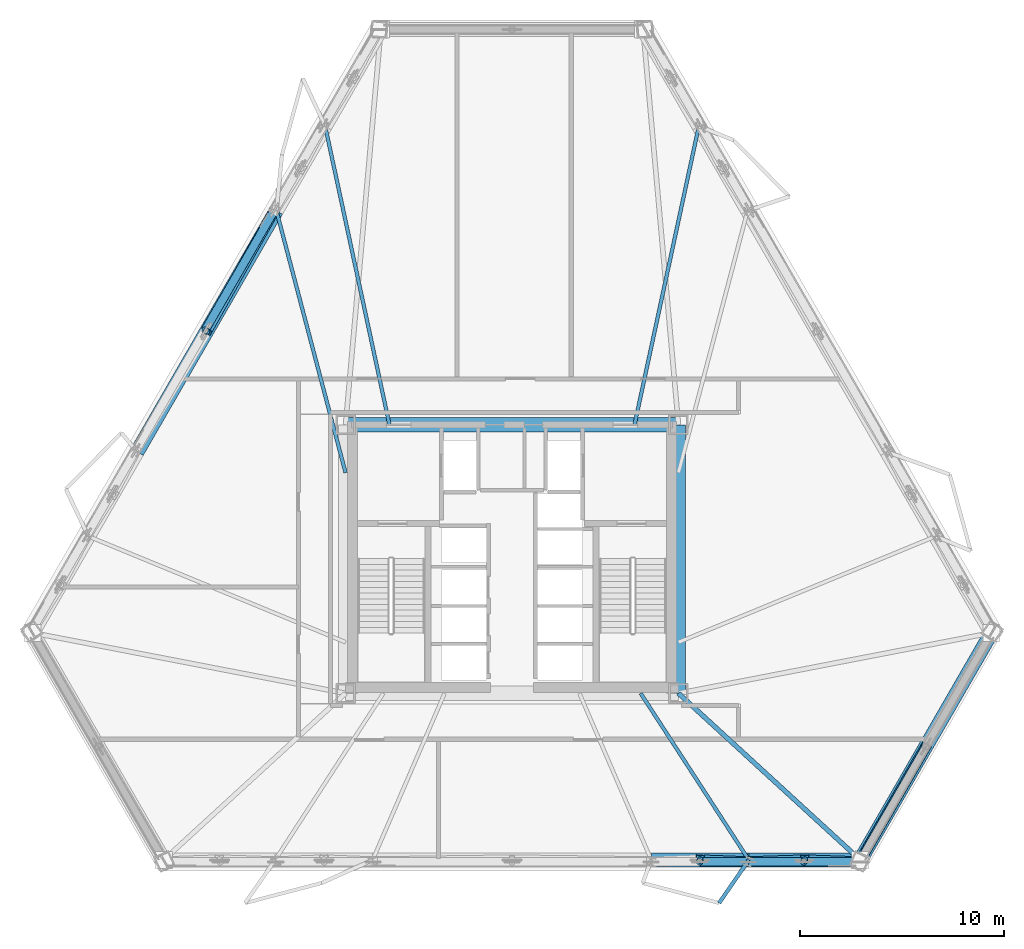
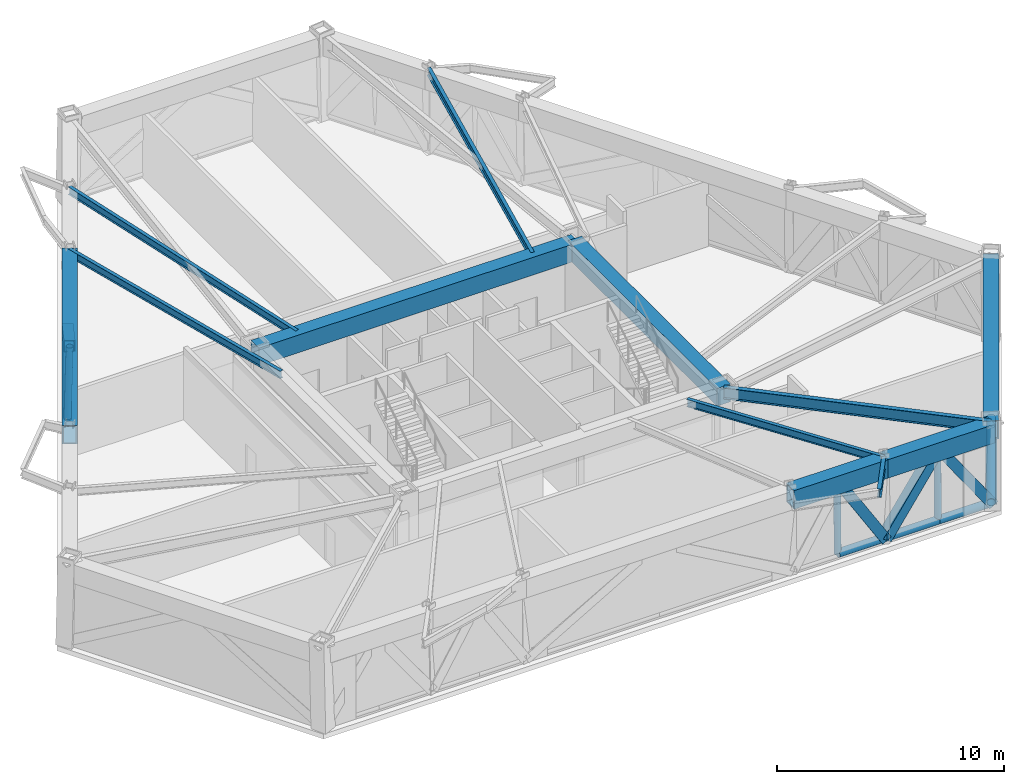
# One storey, part 3 of 11: 13 members, 12 beams.
"""IFC4 building model written with IfcOpenShell, lengths in metres."""

from ifc_helpers import new_model, si_unit, direction, frame, origin, origin_2d, place, context, subcontext, project, spatial, rectangle, hollow_rectangle, hollow_circle, i_section, extrude, material, material_profile, profile_set, type_object, element, save


model = new_model("IFC4")

# Units and contexts
model_context = context("Model", 3, precision=1e-05, world=origin(), true_north=direction((0.0, 1.0)))
body_context = subcontext(model_context, "Body", "Model", "MODEL_VIEW")
ifc_project = project(units=[si_unit("LENGTHUNIT", "METRE"), si_unit("AREAUNIT", "SQUARE_METRE"), si_unit("VOLUMEUNIT", "CUBIC_METRE"), si_unit("PLANEANGLEUNIT", "RADIAN"), si_unit("MASSUNIT", "GRAM", prefix="KILO")], contexts=[model_context])

# Site, building, storey
site_placement = place(None, origin())
site = spatial("IfcSite", under=ifc_project, at=site_placement, CompositionType="ELEMENT")
building_placement = place(site_placement, origin())
building = spatial("IfcBuilding", under=site, at=building_placement, Name="Oramaril Tower", CompositionType="ELEMENT")
storey_placement = place(building_placement, frame((0.0, 0.0, 77.699951171875)))
storey = spatial("IfcBuildingStorey", under=building, at=storey_placement, Name="L20", CompositionType="ELEMENT", Elevation=77.699951171875)

# Beams
ifc_material_1 = material(Name="Steel ASTM A572 Gr 50", Category="steel")
ifc_material_profile_1 = material_profile(ifc_material_1, i_section(OverallWidth=0.19091796875, OverallDepth=0.45703125, WebThickness=0.009033203125, FlangeThickness=0.014404296875, at=origin_2d()), Name="W18X50")
ifc_profile_set_1 = profile_set([ifc_material_profile_1], Name="Steel ASTM A572 Gr 50")
beam_type_1 = type_object("IfcBeamType", Name="BT-BB1", PredefinedType="BEAM", material=ifc_profile_set_1)
beam_1_placement = place(storey_placement, frame((49.096923828125, 2.839111328125, 4.33154296875), z_axis=(-0.56808928524, -0.822966927644, 0.0), x_axis=(0.822966927644, -0.56808928524, 0.0)))
element("IfcBeam", 1, at=beam_1_placement, inside=storey, type_object=beam_type_1, Name="L20 Balcony Column-Framed Cantilever 02.2", PredefinedType="BEAM", context=body_context, shape_type="SweptSolid", body=[
    extrude(i_section(OverallWidth=0.19091796875, OverallDepth=0.45703125, WebThickness=0.009033203125, FlangeThickness=0.014404296875, at=origin_2d()), origin(), (0.0, 0.0, 1.0), 2.561279296875),
])
ifc_material_2 = material(Name="Steel ASTM A572 Gr 50", Category="steel")
ifc_material_profile_2 = material_profile(ifc_material_2, hollow_rectangle(XDim=0.699951171875, YDim=1.0, WallThickness=0.06494140625, at=origin_2d()), Name="BOX1000X700X65")
ifc_profile_set_2 = profile_set([ifc_material_profile_2], Name="Steel ASTM A572 Gr 50")
beam_type_2 = type_object("IfcBeamType", Name="BT-BT1", PredefinedType="BEAM", material=ifc_profile_set_2)
beam_2_placement = place(storey_placement, frame((44.32177734375, 2.839111328125, 4.06005859375), z_axis=(1.0, 0.0, 0.0), x_axis=(0.0, 1.0, 0.0)))
element("IfcBeam", 2, at=beam_2_placement, inside=storey, type_object=beam_type_2, Name="L20 Perimeter Spandrel 05", PredefinedType="BEAM", context=body_context, shape_type="SweptSolid", body=[
    extrude(hollow_rectangle(XDim=0.699951171875, YDim=1.0, WallThickness=0.06494140625, at=origin_2d()), origin(), (0.0, 0.0, 1.0), 4.775146484375),
])
beam_3_placement = place(storey_placement, frame((49.096923828125, 2.839111328125, 4.06005859375), z_axis=(1.0, 0.0, 0.0), x_axis=(0.0, 1.0, 0.0)))
element("IfcBeam", 3, at=beam_3_placement, inside=storey, type_object=beam_type_2, Name="L20 Perimeter Spandrel 06", PredefinedType="BEAM", context=body_context, shape_type="SweptSolid", body=[
    extrude(hollow_rectangle(XDim=0.699951171875, YDim=1.0, WallThickness=0.06494140625, at=origin_2d()), origin(), (0.0, 0.0, 1.0), 5.457275390625),
])
beam_4_placement = place(storey_placement, frame((54.55419921875, 2.839111328125, 4.06005859375), z_axis=(0.499997269419, 0.866026980281, 0.0), x_axis=(-0.866026980281, 0.499997269419, 0.0)))
element("IfcBeam", 4, at=beam_4_placement, inside=storey, type_object=beam_type_2, Name="L20 Perimeter Spandrel 07", PredefinedType="BEAM", context=body_context, shape_type="SweptSolid", body=[
    extrude(hollow_rectangle(XDim=0.699951171875, YDim=1.0, WallThickness=0.06494140625, at=origin_2d()), origin(), (0.0, 0.0, 1.0), 12.84228515625),
])
beam_5_placement = place(storey_placement, frame((25.962646484375, 34.63818359375, 4.06005859375), z_axis=(-0.499986297627, -0.866033314708, 0.0), x_axis=(0.866033314708, -0.499986297627, 0.0)))
element("IfcBeam", 5, at=beam_5_placement, inside=storey, type_object=beam_type_2, Name="L20 Perimeter Spandrel 16", PredefinedType="BEAM", context=body_context, shape_type="SweptSolid", body=[
    extrude(hollow_rectangle(XDim=0.699951171875, YDim=1.0, WallThickness=0.06494140625, at=origin_2d()), origin(), (0.0, 0.0, 1.0), 13.6435546875),
])
ifc_material_3 = material(Name="Concrete C50/60", Category="concrete")
ifc_material_profile_3 = material_profile(ifc_material_3, rectangle(XDim=0.699951171875, YDim=0.949951171875, at=origin_2d()), Name="CB700X950")
ifc_profile_set_3 = profile_set([ifc_material_profile_3], Name="Concrete C50/60")
beam_type_3 = type_object("IfcBeamType", Name="BT-CB1", PredefinedType="BEAM", material=ifc_profile_set_3)
beam_6_placement = place(storey_placement, frame((45.64990234375, 11.0, 4.0849609375), z_axis=(0.0, 1.0, 0.0), x_axis=(-1.0, 0.0, 0.0)))
element("IfcBeam", 6, at=beam_6_placement, inside=storey, type_object=beam_type_3, Name="L20 Core Header Beam CB-2", PredefinedType="BEAM", context=body_context, shape_type="SweptSolid", body=[
    extrude(rectangle(XDim=0.699951171875, YDim=0.949951171875, at=origin_2d()), origin(), (0.0, 0.0, 1.0), 13.14990234375),
])
beam_7_placement = place(storey_placement, frame((45.64990234375, 24.14990234375, 4.0849609375), z_axis=(-1.0, 0.0, 0.0), x_axis=(0.0, -1.0, 0.0)))
element("IfcBeam", 7, at=beam_7_placement, inside=storey, type_object=beam_type_3, Name="L20 Core Header Beam CB-3", PredefinedType="BEAM", context=body_context, shape_type="SweptSolid", body=[
    extrude(rectangle(XDim=0.699951171875, YDim=0.949951171875, at=origin_2d()), origin(), (0.0, 0.0, 1.0), 16.2998046875),
])
ifc_material_4 = material(Name="Steel ASTM A572 Gr 50", Category="steel")
ifc_material_profile_4 = material_profile(ifc_material_4, i_section(OverallWidth=0.22900390625, OverallDepth=0.612060546875, WebThickness=0.011962890625, FlangeThickness=0.01953125, at=origin_2d()), Name="W24X84")
ifc_profile_set_4 = profile_set([ifc_material_profile_4], Name="Steel ASTM A572 Gr 50")
beam_type_4 = type_object("IfcBeamType", Name="BT-FB1", PredefinedType="BEAM", material=ifc_profile_set_4)
beam_8_placement = place(storey_placement, frame((45.64990234375, 11.0, 4.254150390625), z_axis=(0.737211191831, -0.6756623851, 0.0), x_axis=(0.6756623851, 0.737211191831, 0.0)))
element("IfcBeam", 8, at=beam_8_placement, inside=storey, type_object=beam_type_4, Name="L20 Radial Primary Beam RB-03", PredefinedType="BEAM", context=body_context, shape_type="SweptSolid", body=[
    extrude(i_section(OverallWidth=0.22900390625, OverallDepth=0.612060546875, WebThickness=0.011962890625, FlangeThickness=0.01953125, at=origin_2d()), origin(), (0.0, 0.0, 1.0), 12.078369140625),
])
ifc_material_5 = material(Name="Steel ASTM A572 Gr 50", Category="steel")
ifc_material_profile_5 = material_profile(ifc_material_5, i_section(OverallWidth=0.177978515625, OverallDepth=0.404052734375, WebThickness=0.007568359375, FlangeThickness=0.010986328125, at=origin_2d()), Name="W16X36")
ifc_profile_set_5 = profile_set([ifc_material_profile_5], Name="Steel ASTM A572 Gr 50")
beam_type_5 = type_object("IfcBeamType", Name="BT-SB1", PredefinedType="BEAM", material=ifc_profile_set_5)
beam_9_placement = place(storey_placement, frame((43.800048828125, 11.0, 4.358154296875), z_axis=(0.544431672054, -0.838805194586, 0.0), x_axis=(0.838805194586, 0.544431672054, 0.0)))
element("IfcBeam", 9, at=beam_9_placement, inside=storey, type_object=beam_type_5, Name="L20 Secondary Floor Beam SB-04", PredefinedType="BEAM", context=body_context, shape_type="SweptSolid", body=[
    extrude(i_section(OverallWidth=0.177978515625, OverallDepth=0.404052734375, WebThickness=0.007568359375, FlangeThickness=0.010986328125, at=origin_2d()), origin(), (0.0, 0.0, 1.0), 9.729248046875),
])
for number, where, z_axis, x_axis, name in (
    (10, (43.5, 24.14990234375, 4.358154296875), (0.210569993393, 0.977578783466, 0.0), (-0.977578783466, 0.210569993393, 0.0), "L20 Secondary Floor Beam SB-07"),
    (11, (31.5, 24.14990234375, 4.358154296875), (-0.210569993393, 0.977578783466, 0.0), (-0.977578783466, -0.210569993393, 0.0), "L20 Secondary Floor Beam SB-08"),
):
    element("IfcBeam", number, at=place(storey_placement, frame(where, z_axis=z_axis, x_axis=x_axis)), inside=storey, type_object=beam_type_5, Name=name, PredefinedType="BEAM", context=body_context, shape_type="SweptSolid", body=[
        extrude(i_section(OverallWidth=0.177978515625, OverallDepth=0.404052734375, WebThickness=0.007568359375, FlangeThickness=0.010986328125, at=origin_2d()), origin(), (0.0, 0.0, 1.0), 14.958984375),
    ])
beam_10_placement = place(storey_placement, frame((29.35009765625, 21.800048828125, 4.358154296875), z_axis=(-0.255126804204, 0.966907603536, 0.0), x_axis=(-0.966907603536, -0.255126804204, 0.0)))
element("IfcBeam", 12, at=beam_10_placement, inside=storey, type_object=beam_type_5, Name="L20 Secondary Floor Beam SB-09", PredefinedType="BEAM", context=body_context, shape_type="SweptSolid", body=[
    extrude(i_section(OverallWidth=0.177978515625, OverallDepth=0.404052734375, WebThickness=0.007568359375, FlangeThickness=0.010986328125, at=origin_2d()), origin(), (0.0, 0.0, 1.0), 13.277587890625),
])

# Members
ifc_material_6 = material(Name="Steel ASTM A572 Gr 50", Category="steel")
ifc_material_profile_6 = material_profile(ifc_material_6, hollow_circle(Radius=0.202880859375, WallThickness=0.01611328125, at=origin_2d()), Name="CHS406X16")
ifc_profile_set_6 = profile_set([ifc_material_profile_6], Name="Steel ASTM A572 Gr 50")
member_type_1 = type_object("IfcMemberType", Name="MT-CH1", PredefinedType="CHORD", material=ifc_profile_set_6)
member_1_placement = place(storey_placement, frame((46.6865234375, 2.747314453125, 0.2099609375), z_axis=(1.0, 0.0, 0.0), x_axis=(0.0, 1.0, 0.0)))
element("IfcMember", 13, at=member_1_placement, inside=storey, type_object=member_type_1, Name="L20 Belt Truss Chord 05B", PredefinedType="CHORD", context=body_context, shape_type="SweptSolid", body=[
    extrude(hollow_circle(Radius=0.202880859375, WallThickness=0.01611328125, at=origin_2d()), origin(), (0.0, 0.0, 1.0), 2.381591796875),
])
for number, where, z_axis, x_axis, name in (
    (14, (49.068115234375, 2.747314453125, 0.2099609375), (1.0, 0.0, 0.0), (0.0, 1.0, 0.0), "L20 Belt Truss Chord 06A"),
    (15, (51.7900390625, 2.747314453125, 0.2099609375), (1.0, 0.0, 0.0), (0.0, 1.0, 0.0), "L20 Belt Truss Chord 06B"),
):
    element("IfcMember", number, at=place(storey_placement, frame(where, z_axis=z_axis, x_axis=x_axis)), inside=storey, type_object=member_type_1, Name=name, PredefinedType="CHORD", context=body_context, shape_type="SweptSolid", body=[
        extrude(hollow_circle(Radius=0.202880859375, WallThickness=0.01611328125, at=origin_2d()), origin(), (0.0, 0.0, 1.0), 2.721923828125),
    ])
member_2_placement = place(storey_placement, frame((54.511962890625, 2.747314453125, 0.2099609375), z_axis=(0.499971966783, 0.866041588165, 0.0), x_axis=(-0.866041588165, 0.499971966783, 0.0)))
element("IfcMember", 16, at=member_2_placement, inside=storey, type_object=member_type_1, Name="L20 Belt Truss Chord 07A", PredefinedType="CHORD", context=body_context, shape_type="SweptSolid", body=[
    extrude(hollow_circle(Radius=0.202880859375, WallThickness=0.01611328125, at=origin_2d()), origin(), (0.0, 0.0, 1.0), 6.521728515625),
])
member_3_placement = place(storey_placement, frame((25.87451171875, 34.66943359375, 0.2099609375), z_axis=(-0.499997825845, -0.86602665903, 0.0), x_axis=(0.86602665903, -0.499997825845, 0.0)))
element("IfcMember", 17, at=member_3_placement, inside=storey, type_object=member_type_1, Name="L20 Belt Truss Chord 16A", PredefinedType="CHORD", context=body_context, shape_type="SweptSolid", body=[
    extrude(hollow_circle(Radius=0.202880859375, WallThickness=0.01611328125, at=origin_2d()), origin(), (0.0, 0.0, 1.0), 6.8046875),
])
ifc_material_7 = material(Name="Steel ASTM A572 Gr 50", Category="steel")
ifc_material_profile_7 = material_profile(ifc_material_7, hollow_circle(Radius=0.162109375, WallThickness=0.011962890625, at=origin_2d()), Name="CHS324X12")
ifc_profile_set_7 = profile_set([ifc_material_profile_7], Name="Steel ASTM A572 Gr 50")
member_type_2 = type_object("IfcMemberType", Name="MT-ST1", PredefinedType="STRUT", material=ifc_profile_set_7)
for number, where, z_axis, x_axis, name in (
    (18, (46.6865234375, 2.747314453125, 0.2099609375), (0.005895495331, 0.023835551016, 0.999698509373), (-0.970746933242, 0.240104959552, 0.0), "L20 Belt Truss Strut 05"),
    (19, (51.7900390625, 2.747314453125, 0.2099609375), (0.009191672755, 0.023834958317, 0.999673650705), (-0.933025461322, 0.359810350776, 0.0), "L20 Belt Truss Strut 06"),
):
    element("IfcMember", number, at=place(storey_placement, frame(where, z_axis=z_axis, x_axis=x_axis)), inside=storey, type_object=member_type_2, Name=name, PredefinedType="STRUT", context=body_context, shape_type="SweptSolid", body=[
        extrude(hollow_circle(Radius=0.162109375, WallThickness=0.011962890625, at=origin_2d()), origin(), (0.0, 0.0, 1.0), 3.851318359375),
    ])
member_4_placement = place(storey_placement, frame((22.47216796875, 28.7763671875, 0.2099609375), z_axis=(0.020666278889, -0.011917976783, 0.999715392873), x_axis=(0.499569084189, 0.866274050242, 0.0)))
element("IfcMember", 20, at=member_4_placement, inside=storey, type_object=member_type_2, Name="L20 Belt Truss Strut 16", PredefinedType="STRUT", context=body_context, shape_type="SweptSolid", body=[
    extrude(hollow_circle(Radius=0.162109375, WallThickness=0.011962890625, at=origin_2d()), origin(), (0.0, 0.0, 1.0), 3.85107421875),
])
ifc_material_8 = material(Name="Steel ASTM A572 Gr 50", Category="steel")
ifc_material_profile_8 = material_profile(ifc_material_8, hollow_rectangle(XDim=0.5, YDim=0.5, WallThickness=0.02490234375, at=origin_2d()), Name="HSS500X500X25")
ifc_profile_set_8 = profile_set([ifc_material_profile_8], Name="Steel ASTM A572 Gr 50")
member_type_3 = type_object("IfcMemberType", Name="MT-TD1", PredefinedType="BRACE", material=ifc_profile_set_8)
member_5_placement = place(storey_placement, frame((49.068115234375, 2.747314453125, 0.2099609375), z_axis=(-0.522317185541, 0.020326150048, 0.852509006001), x_axis=(-0.038885905102, -0.999243657165, 0.0)))
element("IfcMember", 21, at=member_5_placement, inside=storey, type_object=member_type_3, Name="L20 Truss Diagonal 05B", PredefinedType="BRACE", context=body_context, shape_type="SweptSolid", body=[
    extrude(hollow_rectangle(XDim=0.5, YDim=0.5, WallThickness=0.02490234375, at=origin_2d()), origin(), (0.0, 0.0, 1.0), 4.51611328125),
])
member_6_placement = place(storey_placement, frame((49.068115234375, 2.747314453125, 0.2099609375), z_axis=(0.582142743432, 0.019380704049, 0.812855592698), x_axis=(-0.033273579044, 0.999446281167, 0.0)))
element("IfcMember", 22, at=member_6_placement, inside=storey, type_object=member_type_3, Name="L20 Truss Diagonal 06A", PredefinedType="BRACE", context=body_context, shape_type="SweptSolid", body=[
    extrude(hollow_rectangle(XDim=0.5, YDim=0.5, WallThickness=0.02490234375, at=origin_2d()), origin(), (0.0, 0.0, 1.0), 4.736572265625),
])
member_7_placement = place(storey_placement, frame((54.511962890625, 2.747314453125, 0.2099609375), z_axis=(-0.572130802573, 0.019549362211, 0.819929367192), x_axis=(-0.034149463205, -0.999416736984, 0.0)))
element("IfcMember", 23, at=member_7_placement, inside=storey, type_object=member_type_3, Name="L20 Truss Diagonal 06B", PredefinedType="BRACE", context=body_context, shape_type="SweptSolid", body=[
    extrude(hollow_rectangle(XDim=0.5, YDim=0.5, WallThickness=0.02490234375, at=origin_2d()), origin(), (0.0, 0.0, 1.0), 4.695556640625),
])
member_8_placement = place(storey_placement, frame((54.511962890625, 2.747314453125, 0.2099609375), z_axis=(0.42948314081, 0.746397406164, 0.508365167799), x_axis=(-0.866753395379, 0.49873695632, 0.0)))
element("IfcMember", 24, at=member_8_placement, inside=storey, type_object=member_type_3, Name="L20 Truss Diagonal 07A", PredefinedType="BRACE", context=body_context, shape_type="SweptSolid", body=[
    extrude(hollow_rectangle(XDim=0.5, YDim=0.5, WallThickness=0.02490234375, at=origin_2d()), origin(), (0.0, 0.0, 1.0), 7.573486328125),
])
member_9_placement = place(storey_placement, frame((25.87451171875, 34.66943359375, 0.2099609375), z_axis=(-0.424964189536, -0.759564943032, 0.492408910286), x_axis=(0.872698039879, -0.488260310892, 0.0)))
element("IfcMember", 25, at=member_9_placement, inside=storey, type_object=member_type_3, Name="L20 Truss Diagonal 16A", PredefinedType="BRACE", context=body_context, shape_type="SweptSolid", body=[
    extrude(hollow_rectangle(XDim=0.5, YDim=0.5, WallThickness=0.02490234375, at=origin_2d()), origin(), (0.0, 0.0, 1.0), 7.81884765625),
])

save(model, "model.ifc")
